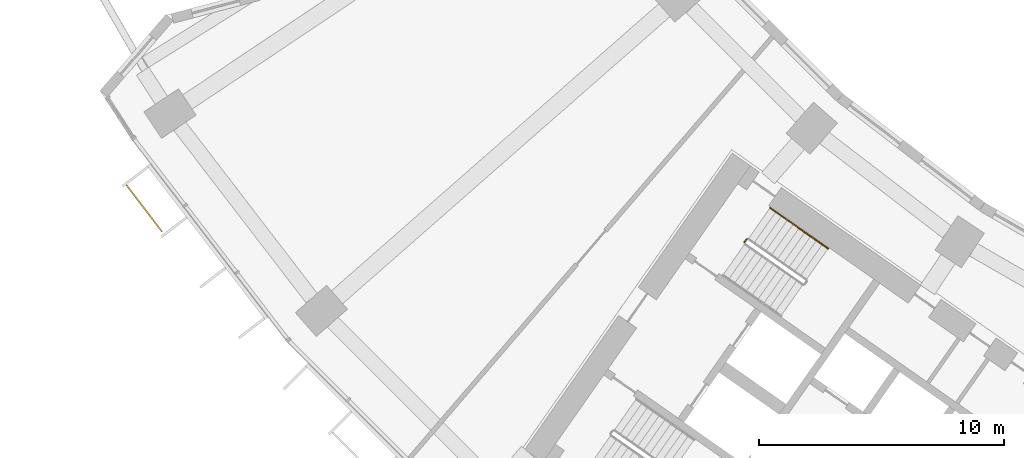
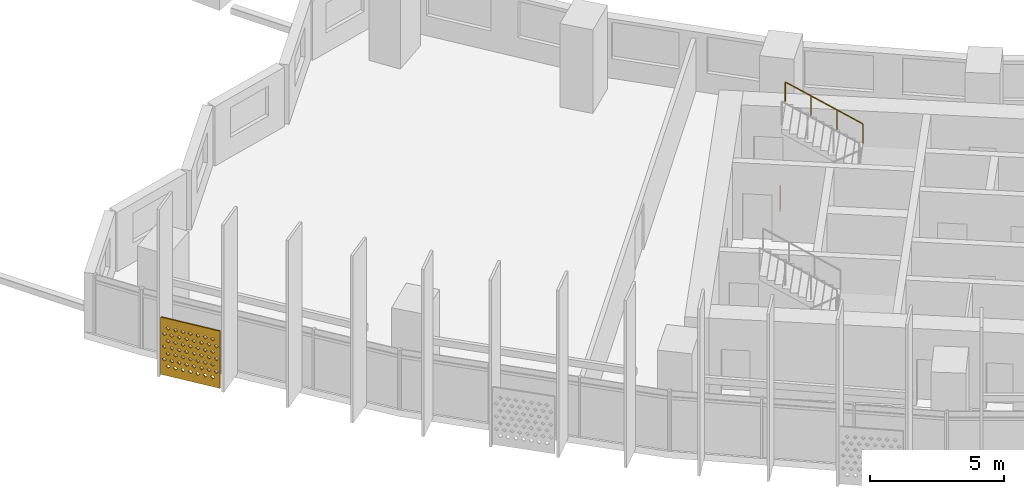
# One storey, part 27 of 31: 2 railings, 1 shading device.
"""IFC4 building model written with IfcOpenShell, lengths in metres."""

from ifc_helpers import new_model, si_unit, direction, frame, origin, origin_2d, place, context, subcontext, project, spatial, polyline, circle, outline, extrude, material, material_profile, profile_set, type_object, element, save


model = new_model("IFC4")

# Units and contexts
model_context = context("Model", 3, precision=1e-05, world=origin(), true_north=direction((0.0, 1.0)))
body_context = subcontext(model_context, "Body", "Model", "MODEL_VIEW")
ifc_project = project(units=[si_unit("LENGTHUNIT", "METRE"), si_unit("AREAUNIT", "SQUARE_METRE"), si_unit("VOLUMEUNIT", "CUBIC_METRE"), si_unit("PLANEANGLEUNIT", "RADIAN"), si_unit("MASSUNIT", "GRAM", prefix="KILO")], contexts=[model_context])

# Site, building, storey
site_placement = place(None, origin())
site = spatial("IfcSite", under=ifc_project, at=site_placement, CompositionType="ELEMENT")
building_placement = place(site_placement, origin())
building = spatial("IfcBuilding", under=site, at=building_placement, Name="Qamariyya Broadcast Tower", CompositionType="ELEMENT")
storey_placement = place(building_placement, frame((0.0, 0.0, 55.699951171875)))
storey = spatial("IfcBuildingStorey", under=building, at=storey_placement, Name="L10", CompositionType="ELEMENT", Elevation=55.699951171875)

# Shading device
ifc_material_1 = material(Name="Perforated glazed terracotta", Category="masonry")
ifc_material_profile = material_profile(ifc_material_1, outline(polyline([(-1.199951171875, -1.300048828125), (1.199951171875, -1.300048828125), (1.199951171875, 1.300048828125), (-1.199951171875, 1.300048828125), (-1.199951171875, -1.300048828125)]), holes=[polyline([(-0.81494140625, -0.86669921875), (-0.89990234375, -0.78173828125), (-0.985107421875, -0.86669921875), (-0.89990234375, -0.95166015625), (-0.81494140625, -0.86669921875)]), polyline([(-0.514892578125, -0.86669921875), (-0.60009765625, -0.78173828125), (-0.68505859375, -0.86669921875), (-0.60009765625, -0.95166015625), (-0.514892578125, -0.86669921875)]), polyline([(-0.215087890625, -0.86669921875), (-0.300048828125, -0.78173828125), (-0.385009765625, -0.86669921875), (-0.300048828125, -0.95166015625), (-0.215087890625, -0.86669921875)]), polyline([(0.0849609375, -0.86669921875), (0.0, -0.78173828125), (-0.0849609375, -0.86669921875), (0.0, -0.95166015625), (0.0849609375, -0.86669921875)]), polyline([(0.385009765625, -0.86669921875), (0.300048828125, -0.78173828125), (0.215087890625, -0.86669921875), (0.300048828125, -0.95166015625), (0.385009765625, -0.86669921875)]), polyline([(0.68505859375, -0.86669921875), (0.60009765625, -0.78173828125), (0.514892578125, -0.86669921875), (0.60009765625, -0.95166015625), (0.68505859375, -0.86669921875)]), polyline([(0.985107421875, -0.86669921875), (0.89990234375, -0.78173828125), (0.81494140625, -0.86669921875), (0.89990234375, -0.95166015625), (0.985107421875, -0.86669921875)]), polyline([(-0.965087890625, -0.577880859375), (-1.050048828125, -0.49267578125), (-1.135009765625, -0.577880859375), (-1.050048828125, -0.662841796875), (-0.965087890625, -0.577880859375)]), polyline([(-0.6650390625, -0.577880859375), (-0.75, -0.49267578125), (-0.8349609375, -0.577880859375), (-0.75, -0.662841796875), (-0.6650390625, -0.577880859375)]), polyline([(-0.364990234375, -0.577880859375), (-0.449951171875, -0.49267578125), (-0.534912109375, -0.577880859375), (-0.449951171875, -0.662841796875), (-0.364990234375, -0.577880859375)]), polyline([(-0.06494140625, -0.577880859375), (-0.14990234375, -0.49267578125), (-0.235107421875, -0.577880859375), (-0.14990234375, -0.662841796875), (-0.06494140625, -0.577880859375)]), polyline([(0.235107421875, -0.577880859375), (0.14990234375, -0.49267578125), (0.06494140625, -0.577880859375), (0.14990234375, -0.662841796875), (0.235107421875, -0.577880859375)]), polyline([(0.534912109375, -0.577880859375), (0.449951171875, -0.49267578125), (0.364990234375, -0.577880859375), (0.449951171875, -0.662841796875), (0.534912109375, -0.577880859375)]), polyline([(0.8349609375, -0.577880859375), (0.75, -0.49267578125), (0.6650390625, -0.577880859375), (0.75, -0.662841796875), (0.8349609375, -0.577880859375)]), polyline([(1.135009765625, -0.577880859375), (1.050048828125, -0.49267578125), (0.965087890625, -0.577880859375), (1.050048828125, -0.662841796875), (1.135009765625, -0.577880859375)]), polyline([(-0.81494140625, -0.288818359375), (-0.89990234375, -0.203857421875), (-0.985107421875, -0.288818359375), (-0.89990234375, -0.373779296875), (-0.81494140625, -0.288818359375)]), polyline([(-0.514892578125, -0.288818359375), (-0.60009765625, -0.203857421875), (-0.68505859375, -0.288818359375), (-0.60009765625, -0.373779296875), (-0.514892578125, -0.288818359375)]), polyline([(-0.215087890625, -0.288818359375), (-0.300048828125, -0.203857421875), (-0.385009765625, -0.288818359375), (-0.300048828125, -0.373779296875), (-0.215087890625, -0.288818359375)]), polyline([(0.0849609375, -0.288818359375), (0.0, -0.203857421875), (-0.0849609375, -0.288818359375), (0.0, -0.373779296875), (0.0849609375, -0.288818359375)]), polyline([(0.385009765625, -0.288818359375), (0.300048828125, -0.203857421875), (0.215087890625, -0.288818359375), (0.300048828125, -0.373779296875), (0.385009765625, -0.288818359375)]), polyline([(0.68505859375, -0.288818359375), (0.60009765625, -0.203857421875), (0.514892578125, -0.288818359375), (0.60009765625, -0.373779296875), (0.68505859375, -0.288818359375)]), polyline([(0.985107421875, -0.288818359375), (0.89990234375, -0.203857421875), (0.81494140625, -0.288818359375), (0.89990234375, -0.373779296875), (0.985107421875, -0.288818359375)]), polyline([(-0.965087890625, 0.0), (-1.050048828125, 0.0849609375), (-1.135009765625, 0.0), (-1.050048828125, -0.0849609375), (-0.965087890625, 0.0)]), polyline([(-0.6650390625, 0.0), (-0.75, 0.0849609375), (-0.8349609375, 0.0), (-0.75, -0.0849609375), (-0.6650390625, 0.0)]), polyline([(-0.364990234375, 0.0), (-0.449951171875, 0.0849609375), (-0.534912109375, 0.0), (-0.449951171875, -0.0849609375), (-0.364990234375, 0.0)]), polyline([(-0.06494140625, 0.0), (-0.14990234375, 0.0849609375), (-0.235107421875, 0.0), (-0.14990234375, -0.0849609375), (-0.06494140625, 0.0)]), polyline([(0.235107421875, 0.0), (0.14990234375, 0.0849609375), (0.06494140625, 0.0), (0.14990234375, -0.0849609375), (0.235107421875, 0.0)]), polyline([(0.534912109375, 0.0), (0.449951171875, 0.0849609375), (0.364990234375, 0.0), (0.449951171875, -0.0849609375), (0.534912109375, 0.0)]), polyline([(0.8349609375, 0.0), (0.75, 0.0849609375), (0.6650390625, 0.0), (0.75, -0.0849609375), (0.8349609375, 0.0)]), polyline([(1.135009765625, 0.0), (1.050048828125, 0.0849609375), (0.965087890625, 0.0), (1.050048828125, -0.0849609375), (1.135009765625, 0.0)]), polyline([(-0.81494140625, 0.288818359375), (-0.89990234375, 0.373779296875), (-0.985107421875, 0.288818359375), (-0.89990234375, 0.203857421875), (-0.81494140625, 0.288818359375)]), polyline([(-0.514892578125, 0.288818359375), (-0.60009765625, 0.373779296875), (-0.68505859375, 0.288818359375), (-0.60009765625, 0.203857421875), (-0.514892578125, 0.288818359375)]), polyline([(-0.215087890625, 0.288818359375), (-0.300048828125, 0.373779296875), (-0.385009765625, 0.288818359375), (-0.300048828125, 0.203857421875), (-0.215087890625, 0.288818359375)]), polyline([(0.0849609375, 0.288818359375), (0.0, 0.373779296875), (-0.0849609375, 0.288818359375), (0.0, 0.203857421875), (0.0849609375, 0.288818359375)]), polyline([(0.385009765625, 0.288818359375), (0.300048828125, 0.373779296875), (0.215087890625, 0.288818359375), (0.300048828125, 0.203857421875), (0.385009765625, 0.288818359375)]), polyline([(0.68505859375, 0.288818359375), (0.60009765625, 0.373779296875), (0.514892578125, 0.288818359375), (0.60009765625, 0.203857421875), (0.68505859375, 0.288818359375)]), polyline([(0.985107421875, 0.288818359375), (0.89990234375, 0.373779296875), (0.81494140625, 0.288818359375), (0.89990234375, 0.203857421875), (0.985107421875, 0.288818359375)]), polyline([(-0.965087890625, 0.577880859375), (-1.050048828125, 0.662841796875), (-1.135009765625, 0.577880859375), (-1.050048828125, 0.49267578125), (-0.965087890625, 0.577880859375)]), polyline([(-0.6650390625, 0.577880859375), (-0.75, 0.662841796875), (-0.8349609375, 0.577880859375), (-0.75, 0.49267578125), (-0.6650390625, 0.577880859375)]), polyline([(-0.364990234375, 0.577880859375), (-0.449951171875, 0.662841796875), (-0.534912109375, 0.577880859375), (-0.449951171875, 0.49267578125), (-0.364990234375, 0.577880859375)]), polyline([(-0.06494140625, 0.577880859375), (-0.14990234375, 0.662841796875), (-0.235107421875, 0.577880859375), (-0.14990234375, 0.49267578125), (-0.06494140625, 0.577880859375)]), polyline([(0.235107421875, 0.577880859375), (0.14990234375, 0.662841796875), (0.06494140625, 0.577880859375), (0.14990234375, 0.49267578125), (0.235107421875, 0.577880859375)]), polyline([(0.534912109375, 0.577880859375), (0.449951171875, 0.662841796875), (0.364990234375, 0.577880859375), (0.449951171875, 0.49267578125), (0.534912109375, 0.577880859375)]), polyline([(0.8349609375, 0.577880859375), (0.75, 0.662841796875), (0.6650390625, 0.577880859375), (0.75, 0.49267578125), (0.8349609375, 0.577880859375)]), polyline([(1.135009765625, 0.577880859375), (1.050048828125, 0.662841796875), (0.965087890625, 0.577880859375), (1.050048828125, 0.49267578125), (1.135009765625, 0.577880859375)]), polyline([(-0.81494140625, 0.86669921875), (-0.89990234375, 0.95166015625), (-0.985107421875, 0.86669921875), (-0.89990234375, 0.78173828125), (-0.81494140625, 0.86669921875)]), polyline([(-0.514892578125, 0.86669921875), (-0.60009765625, 0.95166015625), (-0.68505859375, 0.86669921875), (-0.60009765625, 0.78173828125), (-0.514892578125, 0.86669921875)]), polyline([(-0.215087890625, 0.86669921875), (-0.300048828125, 0.95166015625), (-0.385009765625, 0.86669921875), (-0.300048828125, 0.78173828125), (-0.215087890625, 0.86669921875)]), polyline([(0.0849609375, 0.86669921875), (0.0, 0.95166015625), (-0.0849609375, 0.86669921875), (0.0, 0.78173828125), (0.0849609375, 0.86669921875)]), polyline([(0.385009765625, 0.86669921875), (0.300048828125, 0.95166015625), (0.215087890625, 0.86669921875), (0.300048828125, 0.78173828125), (0.385009765625, 0.86669921875)]), polyline([(0.68505859375, 0.86669921875), (0.60009765625, 0.95166015625), (0.514892578125, 0.86669921875), (0.60009765625, 0.78173828125), (0.68505859375, 0.86669921875)]), polyline([(0.985107421875, 0.86669921875), (0.89990234375, 0.95166015625), (0.81494140625, 0.86669921875), (0.89990234375, 0.78173828125), (0.985107421875, 0.86669921875)])]))
ifc_profile_set = profile_set([ifc_material_profile], Name="Perforated glazed terracotta")
shading_device_type = type_object("IfcShadingDeviceType", Name="Perforated terracotta screen 2400 x 2600", PredefinedType="USERDEFINED", material=ifc_profile_set)
shading_device_placement = place(storey_placement, frame((-65.680419921875, -47.04931640625, 1.35009765625), z_axis=(-0.794589096806, -0.607147566278, 0.0), x_axis=(0.607147566278, -0.794589096806, 0.0)))
element("IfcShadingDevice", 1, at=shading_device_placement, inside=storey, type_object=shading_device_type, Name="e-scr-L10-01-0", ObjectType="SCREEN", PredefinedType="USERDEFINED", context=body_context, shape_type="SweptSolid", body=[
    extrude(outline(polyline([(-1.199951171875, -1.300048828125), (1.199951171875, -1.300048828125), (1.199951171875, 1.300048828125), (-1.199951171875, 1.300048828125), (-1.199951171875, -1.300048828125)]), holes=[polyline([(-0.81494140625, -0.86669921875), (-0.89990234375, -0.78173828125), (-0.985107421875, -0.86669921875), (-0.89990234375, -0.95166015625), (-0.81494140625, -0.86669921875)]), polyline([(-0.514892578125, -0.86669921875), (-0.60009765625, -0.78173828125), (-0.68505859375, -0.86669921875), (-0.60009765625, -0.95166015625), (-0.514892578125, -0.86669921875)]), polyline([(-0.215087890625, -0.86669921875), (-0.300048828125, -0.78173828125), (-0.385009765625, -0.86669921875), (-0.300048828125, -0.95166015625), (-0.215087890625, -0.86669921875)]), polyline([(0.0849609375, -0.86669921875), (0.0, -0.78173828125), (-0.0849609375, -0.86669921875), (0.0, -0.95166015625), (0.0849609375, -0.86669921875)]), polyline([(0.385009765625, -0.86669921875), (0.300048828125, -0.78173828125), (0.215087890625, -0.86669921875), (0.300048828125, -0.95166015625), (0.385009765625, -0.86669921875)]), polyline([(0.68505859375, -0.86669921875), (0.60009765625, -0.78173828125), (0.514892578125, -0.86669921875), (0.60009765625, -0.95166015625), (0.68505859375, -0.86669921875)]), polyline([(0.985107421875, -0.86669921875), (0.89990234375, -0.78173828125), (0.81494140625, -0.86669921875), (0.89990234375, -0.95166015625), (0.985107421875, -0.86669921875)]), polyline([(-0.965087890625, -0.577880859375), (-1.050048828125, -0.49267578125), (-1.135009765625, -0.577880859375), (-1.050048828125, -0.662841796875), (-0.965087890625, -0.577880859375)]), polyline([(-0.6650390625, -0.577880859375), (-0.75, -0.49267578125), (-0.8349609375, -0.577880859375), (-0.75, -0.662841796875), (-0.6650390625, -0.577880859375)]), polyline([(-0.364990234375, -0.577880859375), (-0.449951171875, -0.49267578125), (-0.534912109375, -0.577880859375), (-0.449951171875, -0.662841796875), (-0.364990234375, -0.577880859375)]), polyline([(-0.06494140625, -0.577880859375), (-0.14990234375, -0.49267578125), (-0.235107421875, -0.577880859375), (-0.14990234375, -0.662841796875), (-0.06494140625, -0.577880859375)]), polyline([(0.235107421875, -0.577880859375), (0.14990234375, -0.49267578125), (0.06494140625, -0.577880859375), (0.14990234375, -0.662841796875), (0.235107421875, -0.577880859375)]), polyline([(0.534912109375, -0.577880859375), (0.449951171875, -0.49267578125), (0.364990234375, -0.577880859375), (0.449951171875, -0.662841796875), (0.534912109375, -0.577880859375)]), polyline([(0.8349609375, -0.577880859375), (0.75, -0.49267578125), (0.6650390625, -0.577880859375), (0.75, -0.662841796875), (0.8349609375, -0.577880859375)]), polyline([(1.135009765625, -0.577880859375), (1.050048828125, -0.49267578125), (0.965087890625, -0.577880859375), (1.050048828125, -0.662841796875), (1.135009765625, -0.577880859375)]), polyline([(-0.81494140625, -0.288818359375), (-0.89990234375, -0.203857421875), (-0.985107421875, -0.288818359375), (-0.89990234375, -0.373779296875), (-0.81494140625, -0.288818359375)]), polyline([(-0.514892578125, -0.288818359375), (-0.60009765625, -0.203857421875), (-0.68505859375, -0.288818359375), (-0.60009765625, -0.373779296875), (-0.514892578125, -0.288818359375)]), polyline([(-0.215087890625, -0.288818359375), (-0.300048828125, -0.203857421875), (-0.385009765625, -0.288818359375), (-0.300048828125, -0.373779296875), (-0.215087890625, -0.288818359375)]), polyline([(0.0849609375, -0.288818359375), (0.0, -0.203857421875), (-0.0849609375, -0.288818359375), (0.0, -0.373779296875), (0.0849609375, -0.288818359375)]), polyline([(0.385009765625, -0.288818359375), (0.300048828125, -0.203857421875), (0.215087890625, -0.288818359375), (0.300048828125, -0.373779296875), (0.385009765625, -0.288818359375)]), polyline([(0.68505859375, -0.288818359375), (0.60009765625, -0.203857421875), (0.514892578125, -0.288818359375), (0.60009765625, -0.373779296875), (0.68505859375, -0.288818359375)]), polyline([(0.985107421875, -0.288818359375), (0.89990234375, -0.203857421875), (0.81494140625, -0.288818359375), (0.89990234375, -0.373779296875), (0.985107421875, -0.288818359375)]), polyline([(-0.965087890625, 0.0), (-1.050048828125, 0.0849609375), (-1.135009765625, 0.0), (-1.050048828125, -0.0849609375), (-0.965087890625, 0.0)]), polyline([(-0.6650390625, 0.0), (-0.75, 0.0849609375), (-0.8349609375, 0.0), (-0.75, -0.0849609375), (-0.6650390625, 0.0)]), polyline([(-0.364990234375, 0.0), (-0.449951171875, 0.0849609375), (-0.534912109375, 0.0), (-0.449951171875, -0.0849609375), (-0.364990234375, 0.0)]), polyline([(-0.06494140625, 0.0), (-0.14990234375, 0.0849609375), (-0.235107421875, 0.0), (-0.14990234375, -0.0849609375), (-0.06494140625, 0.0)]), polyline([(0.235107421875, 0.0), (0.14990234375, 0.0849609375), (0.06494140625, 0.0), (0.14990234375, -0.0849609375), (0.235107421875, 0.0)]), polyline([(0.534912109375, 0.0), (0.449951171875, 0.0849609375), (0.364990234375, 0.0), (0.449951171875, -0.0849609375), (0.534912109375, 0.0)]), polyline([(0.8349609375, 0.0), (0.75, 0.0849609375), (0.6650390625, 0.0), (0.75, -0.0849609375), (0.8349609375, 0.0)]), polyline([(1.135009765625, 0.0), (1.050048828125, 0.0849609375), (0.965087890625, 0.0), (1.050048828125, -0.0849609375), (1.135009765625, 0.0)]), polyline([(-0.81494140625, 0.288818359375), (-0.89990234375, 0.373779296875), (-0.985107421875, 0.288818359375), (-0.89990234375, 0.203857421875), (-0.81494140625, 0.288818359375)]), polyline([(-0.514892578125, 0.288818359375), (-0.60009765625, 0.373779296875), (-0.68505859375, 0.288818359375), (-0.60009765625, 0.203857421875), (-0.514892578125, 0.288818359375)]), polyline([(-0.215087890625, 0.288818359375), (-0.300048828125, 0.373779296875), (-0.385009765625, 0.288818359375), (-0.300048828125, 0.203857421875), (-0.215087890625, 0.288818359375)]), polyline([(0.0849609375, 0.288818359375), (0.0, 0.373779296875), (-0.0849609375, 0.288818359375), (0.0, 0.203857421875), (0.0849609375, 0.288818359375)]), polyline([(0.385009765625, 0.288818359375), (0.300048828125, 0.373779296875), (0.215087890625, 0.288818359375), (0.300048828125, 0.203857421875), (0.385009765625, 0.288818359375)]), polyline([(0.68505859375, 0.288818359375), (0.60009765625, 0.373779296875), (0.514892578125, 0.288818359375), (0.60009765625, 0.203857421875), (0.68505859375, 0.288818359375)]), polyline([(0.985107421875, 0.288818359375), (0.89990234375, 0.373779296875), (0.81494140625, 0.288818359375), (0.89990234375, 0.203857421875), (0.985107421875, 0.288818359375)]), polyline([(-0.965087890625, 0.577880859375), (-1.050048828125, 0.662841796875), (-1.135009765625, 0.577880859375), (-1.050048828125, 0.49267578125), (-0.965087890625, 0.577880859375)]), polyline([(-0.6650390625, 0.577880859375), (-0.75, 0.662841796875), (-0.8349609375, 0.577880859375), (-0.75, 0.49267578125), (-0.6650390625, 0.577880859375)]), polyline([(-0.364990234375, 0.577880859375), (-0.449951171875, 0.662841796875), (-0.534912109375, 0.577880859375), (-0.449951171875, 0.49267578125), (-0.364990234375, 0.577880859375)]), polyline([(-0.06494140625, 0.577880859375), (-0.14990234375, 0.662841796875), (-0.235107421875, 0.577880859375), (-0.14990234375, 0.49267578125), (-0.06494140625, 0.577880859375)]), polyline([(0.235107421875, 0.577880859375), (0.14990234375, 0.662841796875), (0.06494140625, 0.577880859375), (0.14990234375, 0.49267578125), (0.235107421875, 0.577880859375)]), polyline([(0.534912109375, 0.577880859375), (0.449951171875, 0.662841796875), (0.364990234375, 0.577880859375), (0.449951171875, 0.49267578125), (0.534912109375, 0.577880859375)]), polyline([(0.8349609375, 0.577880859375), (0.75, 0.662841796875), (0.6650390625, 0.577880859375), (0.75, 0.49267578125), (0.8349609375, 0.577880859375)]), polyline([(1.135009765625, 0.577880859375), (1.050048828125, 0.662841796875), (0.965087890625, 0.577880859375), (1.050048828125, 0.49267578125), (1.135009765625, 0.577880859375)]), polyline([(-0.81494140625, 0.86669921875), (-0.89990234375, 0.95166015625), (-0.985107421875, 0.86669921875), (-0.89990234375, 0.78173828125), (-0.81494140625, 0.86669921875)]), polyline([(-0.514892578125, 0.86669921875), (-0.60009765625, 0.95166015625), (-0.68505859375, 0.86669921875), (-0.60009765625, 0.78173828125), (-0.514892578125, 0.86669921875)]), polyline([(-0.215087890625, 0.86669921875), (-0.300048828125, 0.95166015625), (-0.385009765625, 0.86669921875), (-0.300048828125, 0.78173828125), (-0.215087890625, 0.86669921875)]), polyline([(0.0849609375, 0.86669921875), (0.0, 0.95166015625), (-0.0849609375, 0.86669921875), (0.0, 0.78173828125), (0.0849609375, 0.86669921875)]), polyline([(0.385009765625, 0.86669921875), (0.300048828125, 0.95166015625), (0.215087890625, 0.86669921875), (0.300048828125, 0.78173828125), (0.385009765625, 0.86669921875)]), polyline([(0.68505859375, 0.86669921875), (0.60009765625, 0.95166015625), (0.514892578125, 0.86669921875), (0.60009765625, 0.78173828125), (0.68505859375, 0.86669921875)]), polyline([(0.985107421875, 0.86669921875), (0.89990234375, 0.95166015625), (0.81494140625, 0.86669921875), (0.89990234375, 0.78173828125), (0.985107421875, 0.86669921875)])]), origin(), (0.0, 0.0, 1.0), 0.059814453125),
])

# Railings
ifc_material_2 = material(Name="Painted steel", Category="steel")
railing_type_1 = type_object("IfcRailingType", Name="Stair guard", PredefinedType="GUARDRAIL", material=ifc_material_2)
railing_1_placement = place(storey_placement, frame((-41.158935546875, -48.455322265625, 0.0)))
element("IfcRailing", 2, at=railing_1_placement, inside=storey, type_object=railing_type_1, Name="L10 ST-W2 stair guard 3", PredefinedType="GUARDRAIL", context=body_context, shape_type="SweptSolid", body=[
    extrude(circle(Radius=0.02392578125, at=origin_2d()), frame((0.0, 0.0, 1.076171875), z_axis=(0.572588637393, 0.819842821722, 0.0), x_axis=(-0.819842821722, 0.572588637393, 0.0)), (0.0, 0.0, 1.0), 0.150146484375),
    extrude(circle(Radius=0.02099609375, at=origin_2d()), origin(), (0.0, 0.0, 1.0), 1.052001953125),
    extrude(circle(Radius=0.02099609375, at=origin_2d()), frame((0.0859375, 0.123046875, 0.0)), (0.0, 0.0, 1.0), 1.052001953125),
])
ifc_material_3 = material(Name="Stainless steel", Category="steel")
railing_type_2 = type_object("IfcRailingType", Name="Stair handrail", PredefinedType="HANDRAIL", material=ifc_material_3)
railing_2_placement = place(storey_placement, frame((-37.73876953125, -48.7138671875, 2.07275390625)))
element("IfcRailing", 3, at=railing_2_placement, inside=storey, type_object=railing_type_2, Name="L10 ST-W2 stair handrail 2", PredefinedType="HANDRAIL", context=body_context, shape_type="SweptSolid", body=[
    extrude(circle(Radius=0.02392578125, at=origin_2d()), frame((0.0, 0.0, 0.8759765625), z_axis=(-0.703745009021, 0.492838488332, 0.511715923826), x_axis=(-0.573631830683, -0.819113253969, 0.0)), (0.0, 0.0, 1.0), 3.37548828125),
    extrude(circle(Radius=0.02099609375, at=origin_2d()), origin(), (0.0, 0.0, 1.0), 0.851806640625),
    extrude(circle(Radius=0.02099609375, at=origin_2d()), frame((-0.791748046875, 0.554443359375, 0.57568359375)), (0.0, 0.0, 1.0), 0.851806640625),
    extrude(circle(Radius=0.02099609375, at=origin_2d()), frame((-1.583740234375, 1.109130859375, 1.151611328125)), (0.0, 0.0, 1.0), 0.851806640625),
    extrude(circle(Radius=0.02099609375, at=origin_2d()), frame((-2.37548828125, 1.66357421875, 1.727294921875)), (0.0, 0.0, 1.0), 0.851806640625),
])

save(model, "model.ifc")
